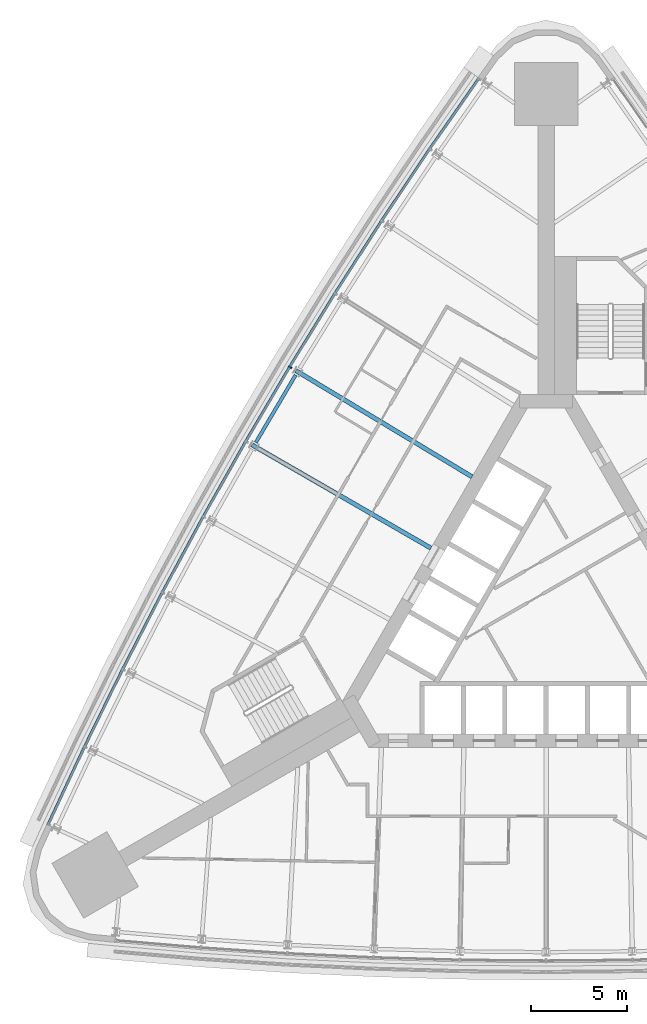
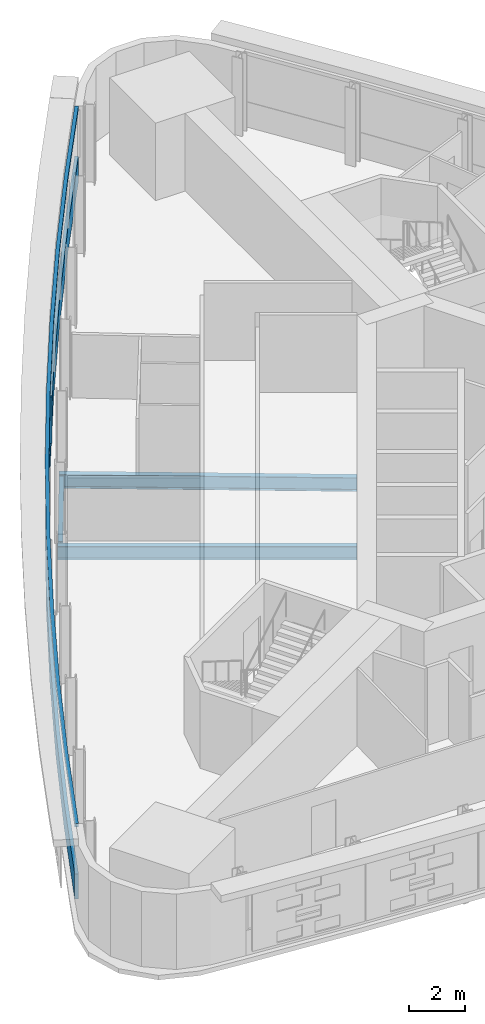
# One storey, part 5 of 15: 3 beams, 3 members, 1 element without a shape of its own.
"""IFC4 building model written with IfcOpenShell, lengths in metres."""

import ifcopenshell
import ifcopenshell.guid

model = None  # the IFC model being written
_history = None  # IfcOwnerHistory: only IFC2X3 demands one
_inside = {}  # id of a spatial element -> (the spatial element, [elements in it])
_under = {}  # id of a project, library or spatial element -> (it, [spatial elements below it])
_declared = {}  # id of a project -> (the project, [libraries it declares])
_typed = {}  # id of a type object -> (the type object, [elements of that type])
_made_of = {}  # id of a material, layer set ... -> (it, [elements and type objects made of it])


def new_model(schema):
    """Start an empty IFC model of exactly this schema.

    Asked for "IFC4X3", IfcOpenShell would pick the latest addendum, in which some entities
    have other attributes; the version numbers below select the first issue.
    IFC2X3 requires an IfcOwnerHistory on every rooted entity: one is made here for all.
    """
    global model, _history
    if schema == "IFC4X3":
        model = ifcopenshell.file(schema_version=(4, 3, 0, 0))
    else:
        model = ifcopenshell.file(schema=schema)
    _inside.clear()
    _under.clear()
    _declared.clear()
    _typed.clear()
    _made_of.clear()
    _history = None
    if model.schema == "IFC2X3":
        org = make("IfcOrganization", Name="unknown")
        user = make(
            "IfcPersonAndOrganization",
            ThePerson=make("IfcPerson", FamilyName="unknown"),
            TheOrganization=org,
        )
        app = make(
            "IfcApplication",
            ApplicationDeveloper=org,
            Version="unknown",
            ApplicationFullName="unknown",
            ApplicationIdentifier="unknown",
        )
        _history = make(
            "IfcOwnerHistory",
            OwningUser=user,
            OwningApplication=app,
            ChangeAction="ADDED",
            CreationDate=0,
        )
    return model


def make(cls, **values):
    """One entity of the class cls with the attributes given. An attribute that is None is left unset."""
    return model.create_entity(
        cls, **{name: value for name, value in values.items() if value is not None}
    )


def rooted(cls, **values):
    """An entity with a GlobalId (a new one), such as an element, a storey or a relation."""
    return make(cls, GlobalId=ifcopenshell.guid.new(), OwnerHistory=_history, **values)


def si_unit(unit_type, name, prefix=None):
    """IfcSIUnit, for example si_unit("LENGTHUNIT", "METRE", prefix="MILLI")."""
    return make("IfcSIUnit", UnitType=unit_type, Prefix=prefix, Name=name)


def assignment(units):
    """IfcUnitAssignment: the units of a project."""
    return None if units is None else make("IfcUnitAssignment", Units=units)


def point(xyz):
    """IfcCartesianPoint."""
    return None if xyz is None else make("IfcCartesianPoint", Coordinates=xyz)


def direction(xyz):
    """IfcDirection."""
    return None if xyz is None else make("IfcDirection", DirectionRatios=xyz)


def frame(location, z_axis=None, x_axis=None):
    """IfcAxis2Placement3D, a coordinate frame: its origin and axes. An axis left out is left unset."""
    return make(
        "IfcAxis2Placement3D",
        Location=point(location),
        Axis=direction(z_axis),
        RefDirection=direction(x_axis),
    )


def frame_2d(location, x_axis=None):
    """IfcAxis2Placement2D, a coordinate frame in the plane: its origin and x axis."""
    return make(
        "IfcAxis2Placement2D", Location=point(location), RefDirection=direction(x_axis)
    )


def origin():
    """The frame at (0, 0, 0) with its axes left unset."""
    return frame((0.0, 0.0, 0.0))


def origin_2d():
    """The frame at (0, 0) in the plane with its x axis left unset."""
    return frame_2d((0.0, 0.0))


def place(relative_to, where):
    """IfcLocalPlacement: puts the frame where relative to a parent placement (None: the world)."""
    return make(
        "IfcLocalPlacement", PlacementRelTo=relative_to, RelativePlacement=where
    )


def context(
    kind, dimensions, precision=None, world=None, true_north=None, identifier=None
):
    """IfcGeometricRepresentationContext, for example the 3D "Model" context."""
    return make(
        "IfcGeometricRepresentationContext",
        ContextIdentifier=identifier,
        ContextType=kind,
        CoordinateSpaceDimension=dimensions,
        Precision=precision,
        WorldCoordinateSystem=world,
        TrueNorth=true_north,
    )


def subcontext(parent, identifier, kind, view, scale=None):
    """IfcGeometricRepresentationSubContext, for example "Body" below "Model"."""
    return make(
        "IfcGeometricRepresentationSubContext",
        ContextIdentifier=identifier,
        ContextType=kind,
        ParentContext=parent,
        TargetScale=scale,
        TargetView=view,
    )


def project(units=None, contexts=None):
    """IfcProject with its units and contexts."""
    return rooted(
        "IfcProject",
        Name="project",
        RepresentationContexts=contexts,
        UnitsInContext=assignment(units),
    )


def spatial(cls, under=None, at=None, **own):
    """A site, building, storey or space (cls), placed at a placement, below another one or the project."""
    s = rooted(cls, ObjectPlacement=at, **own)
    if under is not None:
        _under.setdefault(under.id(), (under, []))[1].append(s)
    return s


def polyline(points):
    """IfcPolyline through the points."""
    return make("IfcPolyline", Points=[point(p) for p in points])


def profile(cls, at=None, kind="AREA", **sizes):
    """A parametric profile (cls). Its sizes go by their IFC names, for example OverallWidth=200.0."""
    return make(cls, ProfileType=kind, Position=at, **sizes)


def rectangle(**sizes):
    """IfcRectangleProfileDef."""
    return profile("IfcRectangleProfileDef", **sizes)


def i_section(**sizes):
    """IfcIShapeProfileDef."""
    return profile("IfcIShapeProfileDef", **sizes)


def outline(outer, holes=None, kind="AREA"):
    """IfcArbitraryClosedProfileDef: a profile drawn as a closed curve; with holes, ...WithVoids."""
    if holes is None:
        return make("IfcArbitraryClosedProfileDef", ProfileType=kind, OuterCurve=outer)
    return make(
        "IfcArbitraryProfileDefWithVoids",
        ProfileType=kind,
        OuterCurve=outer,
        InnerCurves=holes,
    )


def extrude(swept, where, along, depth):
    """IfcExtrudedAreaSolid: the profile swept, set in the frame where, extruded along a direction by depth."""
    return make(
        "IfcExtrudedAreaSolid",
        SweptArea=swept,
        Position=where,
        ExtrudedDirection=direction(along),
        Depth=depth,
    )


def shape(context_of_items, identifier, shape_type, items):
    """IfcShapeRepresentation: the items that make up one representation, for example the "Body"."""
    return make(
        "IfcShapeRepresentation",
        ContextOfItems=context_of_items,
        RepresentationIdentifier=identifier,
        RepresentationType=shape_type,
        Items=items,
    )


def material(Name=None, Category=None):
    """IfcMaterial."""
    return make("IfcMaterial", Name=Name, Category=Category)


def material_profile(
    of_material, cross_section, Name=None, Category=None, Priority=None
):
    """IfcMaterialProfile: a cross section and its material."""
    return make(
        "IfcMaterialProfile",
        Name=Name,
        Material=of_material,
        Profile=cross_section,
        Priority=Priority,
        Category=Category,
    )


def profile_set(profiles, Name=None, composite=None):
    """IfcMaterialProfileSet."""
    return make(
        "IfcMaterialProfileSet",
        Name=Name,
        MaterialProfiles=profiles,
        CompositeProfile=composite,
    )


def made_of(thing, what):
    """Note that an element or type object is made of a material, layer set ...; save() writes the relation."""
    if what is not None:
        _made_of.setdefault(what.id(), (what, []))[1].append(thing)
    return thing


def type_object(cls, material=None, **own):
    """A type object (cls), such as IfcWallType, which elements share."""
    return made_of(rooted(cls, **own), material)


def element(
    cls,
    number,
    at=None,
    inside=None,
    cuts=None,
    type_object=None,
    material=None,
    context=None,
    identifier="Body",
    shape_type=None,
    held_by="IfcProductDefinitionShape",
    body=None,
    shapes=None,
    **own,
):
    """One element of the class cls, such as IfcWall. Its Tag is "e" and its number.

    at: its placement. inside: the storey or other place that contains it. cuts: it is an
    opening in that element (IfcRelVoidsElement). A single representation is given by context,
    identifier, shape_type and body (its items); several are given by shapes. held_by: the class
    of the entity that holds the representations. save() writes the other relations.
    """
    e = rooted(cls, Tag="e%d" % number, ObjectPlacement=at, **own)
    if body is not None:
        shapes = [shape(context, identifier, shape_type, body)]
    if shapes is not None:
        e.Representation = make(held_by, Representations=shapes)
    if inside is not None:
        _inside.setdefault(inside.id(), (inside, []))[1].append(e)
    if cuts is not None:
        rooted(
            "IfcRelVoidsElement", RelatingBuildingElement=cuts, RelatedOpeningElement=e
        )
    if type_object is not None:
        _typed.setdefault(type_object.id(), (type_object, []))[1].append(e)
    return made_of(e, material)


def aggregate(whole, parts):
    """IfcRelAggregates: a whole, such as a stair, and the parts it consists of."""
    return rooted("IfcRelAggregates", RelatingObject=whole, RelatedObjects=parts)


def save(model, path):
    """Write the relations noted so far, then the file.

    IfcRelAggregates (storeys below a building ...), IfcRelContainedInSpatialStructure (elements
    in a storey), IfcRelDefinesByType, IfcRelAssociatesMaterial and IfcRelDeclares: one each for
    every whole, place, type object, material and project.
    """
    for whole, parts in _under.values():
        aggregate(whole, parts)
    for where, things in _inside.values():
        rooted(
            "IfcRelContainedInSpatialStructure",
            RelatedElements=things,
            RelatingStructure=where,
        )
    for kind, things in _typed.values():
        rooted("IfcRelDefinesByType", RelatedObjects=things, RelatingType=kind)
    for what, things in _made_of.values():
        rooted("IfcRelAssociatesMaterial", RelatedObjects=things, RelatingMaterial=what)
    for by, libraries in _declared.values():
        rooted("IfcRelDeclares", RelatingContext=by, RelatedDefinitions=libraries)
    model.write(path)


model = new_model("IFC4")

# Units and contexts
model_context = context("Model", 3, precision=1e-05, world=origin(), true_north=direction((0.0, 1.0)))
body_context = subcontext(model_context, "Body", "Model", "MODEL_VIEW")
ifc_project = project(units=[si_unit("LENGTHUNIT", "METRE"), si_unit("AREAUNIT", "SQUARE_METRE"), si_unit("VOLUMEUNIT", "CUBIC_METRE"), si_unit("PLANEANGLEUNIT", "RADIAN"), si_unit("MASSUNIT", "GRAM", prefix="KILO")], contexts=[model_context])

# Site, building, storey
site_placement = place(None, origin())
site = spatial("IfcSite", under=ifc_project, at=site_placement, CompositionType="ELEMENT")
building_placement = place(site_placement, origin())
building = spatial("IfcBuilding", under=site, at=building_placement, Name="Noor Cloister Tower", CompositionType="ELEMENT")
storey_placement = place(building_placement, frame((0.0, 0.0, 45.60009765625)))
storey = spatial("IfcBuildingStorey", under=building, at=storey_placement, Name="L11", CompositionType="ELEMENT", Elevation=45.60009765625)

# Curtain wall, members
ifc_material_1 = material(Name="Aluminium 6063-T6 anodised", Category="aluminium")
curtain_wall_type = type_object("IfcCurtainWallType", Name="Ribbon curtain wall, lower tower CW1", PredefinedType="NOTDEFINED", material=ifc_material_1)
curtain_wall_placement = place(storey_placement, origin())
curtain_wall = element("IfcCurtainWall", 1, at=curtain_wall_placement, inside=storey, type_object=curtain_wall_type, Name="CW1 L11 NW run 1", PredefinedType="NOTDEFINED")
ifc_material_2 = material(Name="Aluminium 6063-T6 anodised", Category="aluminium")
member_type_1 = type_object("IfcMemberType", Name="Head transom CW1 150", PredefinedType="USERDEFINED", material=ifc_material_2)
member_1_placement = place(storey_placement, frame((0.0, 0.0, 3.14990234375)))
member_1 = element("IfcMember", 2, at=member_1_placement, type_object=member_type_1, Name="CW1 head transom", ObjectType="TRANSOM", PredefinedType="USERDEFINED", context=body_context, shape_type="SweptSolid", body=[
    extrude(outline(polyline([(-3.548095703125, 27.990478515625), (-6.12109375, 24.298828125), (-8.6240234375, 20.55908203125), (-11.0556640625, 16.77294921875), (-13.415283203125, 12.941162109375), (-15.7021484375, 9.065673828125), (-17.9150390625, 5.1474609375), (-20.053466796875, 1.18798828125), (-22.11669921875, -2.81103515625), (-24.10400390625, -6.848388671875), (-26.014404296875, -10.922607421875), (-25.8876953125, -10.98193359375), (-23.977783203125, -6.908935546875), (-21.99169921875, -2.8740234375), (-19.9296875, 1.122802734375), (-17.79248046875, 5.079833984375), (-15.580810546875, 8.99560546875), (-13.29541015625, 12.868896484375), (-10.937255859375, 16.6982421875), (-8.5068359375, 20.482421875), (-6.005615234375, 24.219970703125), (-3.43310546875, 27.910400390625), (-3.548095703125, 27.990478515625)])), origin(), (0.0, 0.0, 1.0), 0.14990234375),
])
ifc_material_3 = material(Name="Aluminium 6063-T6 anodised", Category="aluminium")
ifc_material_profile_1 = material_profile(ifc_material_3, rectangle(XDim=0.199951171875, YDim=0.080078125, at=origin_2d()), Name="200 x 80 mullion")
ifc_profile_set_1 = profile_set([ifc_material_profile_1], Name="Aluminium 6063-T6 anodised")
member_type_2 = type_object("IfcMemberType", Name="Mullion CW1 80 x 200", PredefinedType="MULLION", material=ifc_profile_set_1)
member_2_placement = place(storey_placement, frame((-13.32958984375, 12.8896484375, 1.099853515625), z_axis=(0.0, 0.0, 1.0), x_axis=(0.856413087719, -0.516291219356, 0.0)))
member_2 = element("IfcMember", 3, at=member_2_placement, type_object=member_type_2, Name="CW1 mullion 5", PredefinedType="MULLION", context=body_context, shape_type="SweptSolid", body=[
    extrude(rectangle(XDim=0.199951171875, YDim=0.080078125, at=origin_2d()), origin(), (0.0, 0.0, 1.0), 2.050048828125),
])

# Beams
ifc_material_4 = material(Name="Steel ASTM A992 Gr 50", Category="steel")
ifc_material_profile_2 = material_profile(ifc_material_4, i_section(OverallWidth=0.22802734375, OverallDepth=0.60205078125, WebThickness=0.010498046875, FlangeThickness=0.014892578125, FilletRadius=0.0126953125, at=origin_2d()), Name="W610x101")
ifc_profile_set_2 = profile_set([ifc_material_profile_2], Name="Steel ASTM A992 Gr 50")
beam_type_1 = type_object("IfcBeamType", Name="Radial beam W610x101", PredefinedType="BEAM", material=ifc_profile_set_2)
beam_1_placement = place(storey_placement, frame((-13.02734375, 12.707275390625, -0.5009765625), z_axis=(0.856416913389, -0.51628487336, 0.0), x_axis=(0.51628487336, 0.856416913389, 0.0)))
element("IfcBeam", 4, at=beam_1_placement, inside=storey, type_object=beam_type_1, Name="Radial beam NW 05 L11", PredefinedType="BEAM", context=body_context, shape_type="SweptSolid", body=[
    extrude(i_section(OverallWidth=0.22802734375, OverallDepth=0.60205078125, WebThickness=0.010498046875, FlangeThickness=0.014892578125, FilletRadius=0.0126953125, at=origin_2d()), origin(), (0.0, 0.0, 1.0), 10.709228515625),
])
beam_2_placement = place(storey_placement, frame((-15.309814453125, 8.839111328125, -0.5009765625), z_axis=(0.866026365697, -0.499998333915, 0.0), x_axis=(0.499998333915, 0.866026365697, 0.0)))
element("IfcBeam", 5, at=beam_2_placement, inside=storey, type_object=beam_type_1, Name="Radial beam NW 06 L11", PredefinedType="BEAM", context=body_context, shape_type="SweptSolid", body=[
    extrude(i_section(OverallWidth=0.22802734375, OverallDepth=0.60205078125, WebThickness=0.010498046875, FlangeThickness=0.014892578125, FilletRadius=0.0126953125, at=origin_2d()), origin(), (0.0, 0.0, 1.0), 10.75),
])

# Member
ifc_material_5 = material(Name="Aluminium 6063-T6 anodised", Category="aluminium")
member_type_3 = type_object("IfcMemberType", Name="Sill transom CW1 1100", PredefinedType="USERDEFINED", material=ifc_material_5)
member_3_placement = place(storey_placement, origin())
member_3 = element("IfcMember", 6, at=member_3_placement, type_object=member_type_3, Name="CW1 sill transom", ObjectType="TRANSOM", PredefinedType="USERDEFINED", context=body_context, shape_type="SweptSolid", body=[
    extrude(outline(polyline([(-3.548095703125, 27.990478515625), (-6.12109375, 24.298828125), (-8.6240234375, 20.55908203125), (-11.0556640625, 16.77294921875), (-13.415283203125, 12.941162109375), (-15.7021484375, 9.065673828125), (-17.9150390625, 5.1474609375), (-20.053466796875, 1.18798828125), (-22.11669921875, -2.81103515625), (-24.10400390625, -6.848388671875), (-26.014404296875, -10.922607421875), (-25.8876953125, -10.98193359375), (-23.977783203125, -6.908935546875), (-21.99169921875, -2.8740234375), (-19.9296875, 1.122802734375), (-17.79248046875, 5.079833984375), (-15.580810546875, 8.99560546875), (-13.29541015625, 12.868896484375), (-10.937255859375, 16.6982421875), (-8.5068359375, 20.482421875), (-6.005615234375, 24.219970703125), (-3.43310546875, 27.910400390625), (-3.548095703125, 27.990478515625)])), origin(), (0.0, 0.0, 1.0), 1.099853515625),
])

aggregate(curtain_wall, [member_2, member_3, member_1])

# Beam
ifc_material_6 = material(Name="Steel ASTM A992 Gr 50", Category="steel")
ifc_material_profile_3 = material_profile(ifc_material_6, i_section(OverallWidth=0.177978515625, OverallDepth=0.406005859375, WebThickness=0.0078125, FlangeThickness=0.0126953125, FilletRadius=0.01025390625, at=origin_2d()), Name="W410x60")
ifc_profile_set_3 = profile_set([ifc_material_profile_3], Name="Steel ASTM A992 Gr 50")
beam_type_2 = type_object("IfcBeamType", Name="Spandrel beam W410x60", PredefinedType="SPANDREL", material=ifc_profile_set_3)
beam_3_placement = place(storey_placement, frame((-13.046875, 12.483154296875, -0.403076171875), z_axis=(-0.508189643386, -0.861245195258, 0.0), x_axis=(0.861245195258, -0.508189643386, 0.0)))
element("IfcBeam", 7, at=beam_3_placement, inside=storey, type_object=beam_type_2, Name="Spandrel beam NW 05 L11", PredefinedType="SPANDREL", context=body_context, shape_type="SweptSolid", body=[
    extrude(i_section(OverallWidth=0.177978515625, OverallDepth=0.406005859375, WebThickness=0.0078125, FlangeThickness=0.0126953125, FilletRadius=0.01025390625, at=origin_2d()), origin(), (0.0, 0.0, 1.0), 4.08544921875),
])

save(model, "model.ifc")
